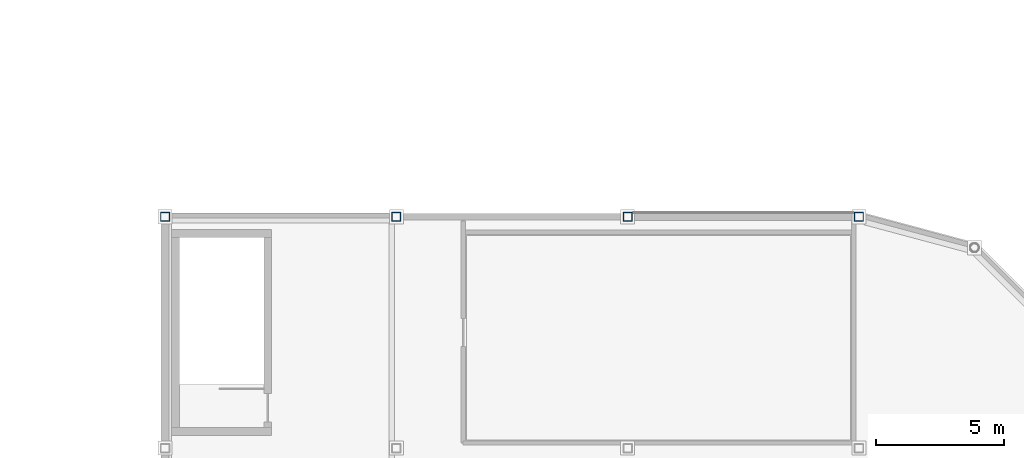
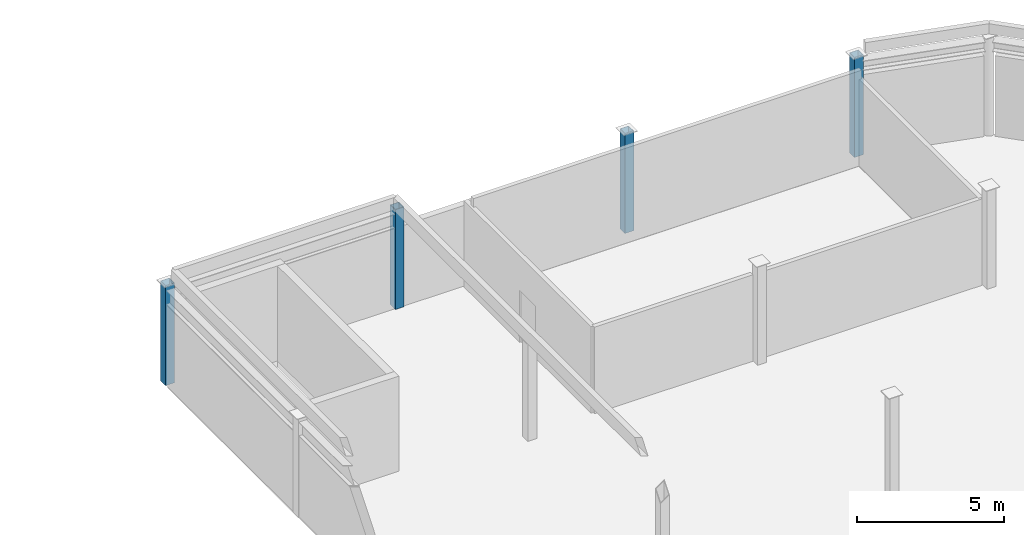
# One storey, part 3 of 14: 4 columns.
"""IFC4 building model written with IfcOpenShell, lengths in metres."""

from ifc_helpers import new_model, si_unit, direction, frame, origin, origin_2d, place, context, subcontext, project, spatial, hollow_rectangle, extrude, material, material_profile, profile_set, type_object, element, save


model = new_model("IFC4")

# Units and contexts
model_context = context("Model", 3, precision=1e-05, world=origin(), true_north=direction((0.0, 1.0)))
body_context = subcontext(model_context, "Body", "Model", "MODEL_VIEW")
ifc_project = project(units=[si_unit("LENGTHUNIT", "METRE"), si_unit("AREAUNIT", "SQUARE_METRE"), si_unit("VOLUMEUNIT", "CUBIC_METRE"), si_unit("PLANEANGLEUNIT", "RADIAN"), si_unit("MASSUNIT", "GRAM", prefix="KILO")], contexts=[model_context])

# Site, building, storey
site_placement = place(None, origin())
site = spatial("IfcSite", under=ifc_project, at=site_placement, CompositionType="ELEMENT")
building_placement = place(site_placement, origin())
building = spatial("IfcBuilding", under=site, at=building_placement, Name="Suzunagisa Mobility Hub", CompositionType="ELEMENT")
storey_placement = place(building_placement, frame((0.0, 0.0, 26.10009765625)))
storey = spatial("IfcBuildingStorey", under=building, at=storey_placement, Name="L06", CompositionType="ELEMENT", Elevation=26.10009765625)

# Columns
ifc_material = material(Name="Steel SN490B", Category="steel")
ifc_material_profile = material_profile(ifc_material, hollow_rectangle(XDim=0.35009765625, YDim=0.35009765625, WallThickness=0.01611328125, at=origin_2d()), Name="BCR-350x350x16")
ifc_profile_set = profile_set([ifc_material_profile], Name="Steel SN490B")
column_type = type_object("IfcColumnType", Name="Steel Column CL-04 BCR-350x350x16", PredefinedType="COLUMN", material=ifc_profile_set)
for number, where, z_axis, x_axis, name in (
    (1, (144.0, 98.0, 0.0), (0.0, 0.0, 1.0), (1.0, 0.0, 0.0), "L06 Column 262"),
    (2, (153.0, 98.0, 0.0), (0.0, 0.0, 1.0), (1.0, 0.0, 0.0), "L06 Column 275"),
    (3, (162.0, 98.0, 0.0), (0.0, 0.0, 1.0), (1.0, 0.0, 0.0), "L06 Column 294"),
    (4, (171.0, 98.0, 0.0), (0.0, 0.0, 1.0), (1.0, 0.0, 0.0), "L06 Column 307"),
):
    element("IfcColumn", number, at=place(storey_placement, frame(where, z_axis=z_axis, x_axis=x_axis)), inside=storey, type_object=column_type, Name=name, PredefinedType="COLUMN", context=body_context, shape_type="SweptSolid", body=[
        extrude(hollow_rectangle(XDim=0.35009765625, YDim=0.35009765625, WallThickness=0.01611328125, at=origin_2d()), origin(), (0.0, 0.0, 1.0), 4.139892578125),
    ])

save(model, "model.ifc")
